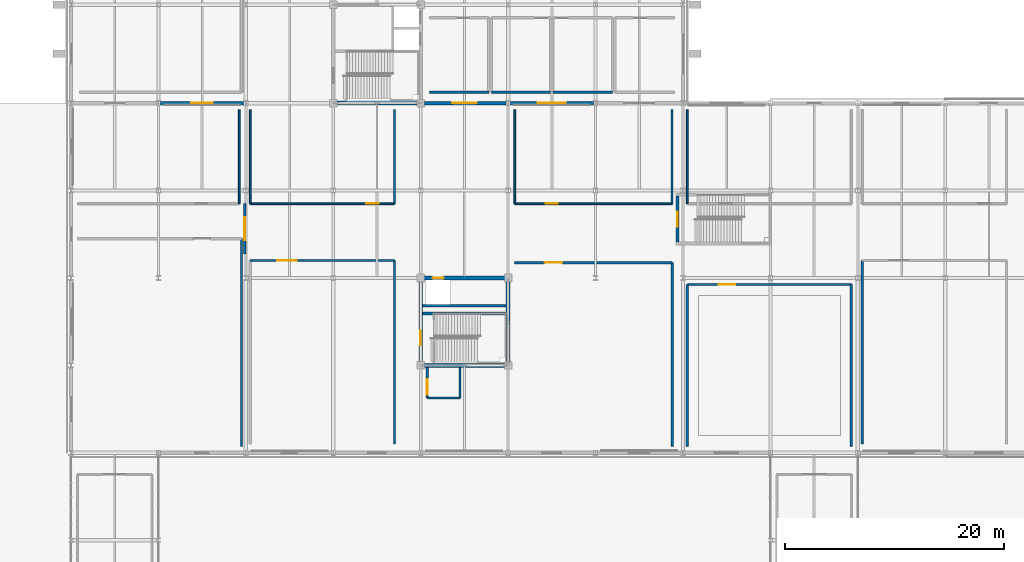
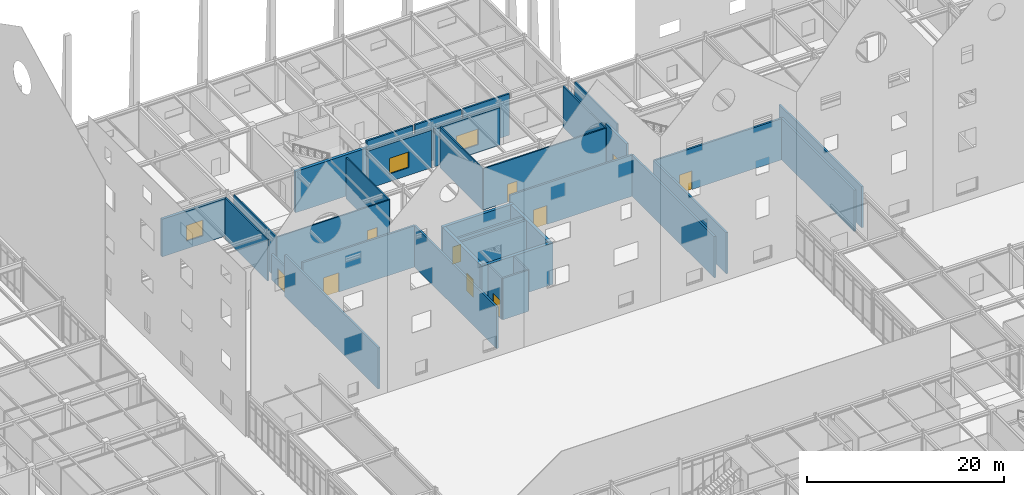
# One storey, part 93 of 119: 35 walls, 10 doors, 3 windows, 13 openings.
"""IFC4 building model written with IfcOpenShell, lengths in metres."""

import ifcopenshell
import ifcopenshell.guid

model = None  # the IFC model being written
_history = None  # IfcOwnerHistory: only IFC2X3 demands one
_inside = {}  # id of a spatial element -> (the spatial element, [elements in it])
_under = {}  # id of a project, library or spatial element -> (it, [spatial elements below it])
_declared = {}  # id of a project -> (the project, [libraries it declares])
_typed = {}  # id of a type object -> (the type object, [elements of that type])
_made_of = {}  # id of a material, layer set ... -> (it, [elements and type objects made of it])


def new_model(schema):
    """Start an empty IFC model of exactly this schema.

    Asked for "IFC4X3", IfcOpenShell would pick the latest addendum, in which some entities
    have other attributes; the version numbers below select the first issue.
    IFC2X3 requires an IfcOwnerHistory on every rooted entity: one is made here for all.
    """
    global model, _history
    if schema == "IFC4X3":
        model = ifcopenshell.file(schema_version=(4, 3, 0, 0))
    else:
        model = ifcopenshell.file(schema=schema)
    _inside.clear()
    _under.clear()
    _declared.clear()
    _typed.clear()
    _made_of.clear()
    _history = None
    if model.schema == "IFC2X3":
        org = make("IfcOrganization", Name="unknown")
        user = make(
            "IfcPersonAndOrganization",
            ThePerson=make("IfcPerson", FamilyName="unknown"),
            TheOrganization=org,
        )
        app = make(
            "IfcApplication",
            ApplicationDeveloper=org,
            Version="unknown",
            ApplicationFullName="unknown",
            ApplicationIdentifier="unknown",
        )
        _history = make(
            "IfcOwnerHistory",
            OwningUser=user,
            OwningApplication=app,
            ChangeAction="ADDED",
            CreationDate=0,
        )
    return model


def make(cls, **values):
    """One entity of the class cls with the attributes given. An attribute that is None is left unset."""
    return model.create_entity(
        cls, **{name: value for name, value in values.items() if value is not None}
    )


def rooted(cls, **values):
    """An entity with a GlobalId (a new one), such as an element, a storey or a relation."""
    return make(cls, GlobalId=ifcopenshell.guid.new(), OwnerHistory=_history, **values)


def si_unit(unit_type, name, prefix=None):
    """IfcSIUnit, for example si_unit("LENGTHUNIT", "METRE", prefix="MILLI")."""
    return make("IfcSIUnit", UnitType=unit_type, Prefix=prefix, Name=name)


def assignment(units):
    """IfcUnitAssignment: the units of a project."""
    return None if units is None else make("IfcUnitAssignment", Units=units)


def point(xyz):
    """IfcCartesianPoint."""
    return None if xyz is None else make("IfcCartesianPoint", Coordinates=xyz)


def direction(xyz):
    """IfcDirection."""
    return None if xyz is None else make("IfcDirection", DirectionRatios=xyz)


def frame(location, z_axis=None, x_axis=None):
    """IfcAxis2Placement3D, a coordinate frame: its origin and axes. An axis left out is left unset."""
    return make(
        "IfcAxis2Placement3D",
        Location=point(location),
        Axis=direction(z_axis),
        RefDirection=direction(x_axis),
    )


def frame_2d(location, x_axis=None):
    """IfcAxis2Placement2D, a coordinate frame in the plane: its origin and x axis."""
    return make(
        "IfcAxis2Placement2D", Location=point(location), RefDirection=direction(x_axis)
    )


def origin():
    """The frame at (0, 0, 0) with its axes left unset."""
    return frame((0.0, 0.0, 0.0))


def place(relative_to, where):
    """IfcLocalPlacement: puts the frame where relative to a parent placement (None: the world)."""
    return make(
        "IfcLocalPlacement", PlacementRelTo=relative_to, RelativePlacement=where
    )


def context(
    kind, dimensions, precision=None, world=None, true_north=None, identifier=None
):
    """IfcGeometricRepresentationContext, for example the 3D "Model" context."""
    return make(
        "IfcGeometricRepresentationContext",
        ContextIdentifier=identifier,
        ContextType=kind,
        CoordinateSpaceDimension=dimensions,
        Precision=precision,
        WorldCoordinateSystem=world,
        TrueNorth=true_north,
    )


def subcontext(parent, identifier, kind, view, scale=None):
    """IfcGeometricRepresentationSubContext, for example "Body" below "Model"."""
    return make(
        "IfcGeometricRepresentationSubContext",
        ContextIdentifier=identifier,
        ContextType=kind,
        ParentContext=parent,
        TargetScale=scale,
        TargetView=view,
    )


def project(units=None, contexts=None):
    """IfcProject with its units and contexts."""
    return rooted(
        "IfcProject",
        Name="project",
        RepresentationContexts=contexts,
        UnitsInContext=assignment(units),
    )


def spatial(cls, under=None, at=None, **own):
    """A site, building, storey or space (cls), placed at a placement, below another one or the project."""
    s = rooted(cls, ObjectPlacement=at, **own)
    if under is not None:
        _under.setdefault(under.id(), (under, []))[1].append(s)
    return s


def profile(cls, at=None, kind="AREA", **sizes):
    """A parametric profile (cls). Its sizes go by their IFC names, for example OverallWidth=200.0."""
    return make(cls, ProfileType=kind, Position=at, **sizes)


def rectangle(**sizes):
    """IfcRectangleProfileDef."""
    return profile("IfcRectangleProfileDef", **sizes)


def extrude(swept, where, along, depth):
    """IfcExtrudedAreaSolid: the profile swept, set in the frame where, extruded along a direction by depth."""
    return make(
        "IfcExtrudedAreaSolid",
        SweptArea=swept,
        Position=where,
        ExtrudedDirection=direction(along),
        Depth=depth,
    )


def shape(context_of_items, identifier, shape_type, items):
    """IfcShapeRepresentation: the items that make up one representation, for example the "Body"."""
    return make(
        "IfcShapeRepresentation",
        ContextOfItems=context_of_items,
        RepresentationIdentifier=identifier,
        RepresentationType=shape_type,
        Items=items,
    )


def material(Name=None, Category=None):
    """IfcMaterial."""
    return make("IfcMaterial", Name=Name, Category=Category)


def layer(
    of_material, thickness, ventilated=None, Name=None, Category=None, Priority=None
):
    """IfcMaterialLayer: one layer of a wall or slab, of a material (None: an air gap)."""
    return make(
        "IfcMaterialLayer",
        Material=of_material,
        LayerThickness=thickness,
        IsVentilated=ventilated,
        Name=Name,
        Category=Category,
        Priority=Priority,
    )


def layer_set(layers, Name=None):
    """IfcMaterialLayerSet."""
    return make("IfcMaterialLayerSet", MaterialLayers=layers, LayerSetName=Name)


def made_of(thing, what):
    """Note that an element or type object is made of a material, layer set ...; save() writes the relation."""
    if what is not None:
        _made_of.setdefault(what.id(), (what, []))[1].append(thing)
    return thing


def type_object(cls, material=None, **own):
    """A type object (cls), such as IfcWallType, which elements share."""
    return made_of(rooted(cls, **own), material)


def element(
    cls,
    number,
    at=None,
    inside=None,
    cuts=None,
    type_object=None,
    material=None,
    context=None,
    identifier="Body",
    shape_type=None,
    held_by="IfcProductDefinitionShape",
    body=None,
    shapes=None,
    **own,
):
    """One element of the class cls, such as IfcWall. Its Tag is "e" and its number.

    at: its placement. inside: the storey or other place that contains it. cuts: it is an
    opening in that element (IfcRelVoidsElement). A single representation is given by context,
    identifier, shape_type and body (its items); several are given by shapes. held_by: the class
    of the entity that holds the representations. save() writes the other relations.
    """
    e = rooted(cls, Tag="e%d" % number, ObjectPlacement=at, **own)
    if body is not None:
        shapes = [shape(context, identifier, shape_type, body)]
    if shapes is not None:
        e.Representation = make(held_by, Representations=shapes)
    if inside is not None:
        _inside.setdefault(inside.id(), (inside, []))[1].append(e)
    if cuts is not None:
        rooted(
            "IfcRelVoidsElement", RelatingBuildingElement=cuts, RelatedOpeningElement=e
        )
    if type_object is not None:
        _typed.setdefault(type_object.id(), (type_object, []))[1].append(e)
    return made_of(e, material)


def fill(opening, filler):
    """IfcRelFillsElement: the door or window that sits in an opening."""
    return rooted(
        "IfcRelFillsElement",
        RelatingOpeningElement=opening,
        RelatedBuildingElement=filler,
    )


def aggregate(whole, parts):
    """IfcRelAggregates: a whole, such as a stair, and the parts it consists of."""
    return rooted("IfcRelAggregates", RelatingObject=whole, RelatedObjects=parts)


def save(model, path):
    """Write the relations noted so far, then the file.

    IfcRelAggregates (storeys below a building ...), IfcRelContainedInSpatialStructure (elements
    in a storey), IfcRelDefinesByType, IfcRelAssociatesMaterial and IfcRelDeclares: one each for
    every whole, place, type object, material and project.
    """
    for whole, parts in _under.values():
        aggregate(whole, parts)
    for where, things in _inside.values():
        rooted(
            "IfcRelContainedInSpatialStructure",
            RelatedElements=things,
            RelatingStructure=where,
        )
    for kind, things in _typed.values():
        rooted("IfcRelDefinesByType", RelatedObjects=things, RelatingType=kind)
    for what, things in _made_of.values():
        rooted("IfcRelAssociatesMaterial", RelatedObjects=things, RelatingMaterial=what)
    for by, libraries in _declared.values():
        rooted("IfcRelDeclares", RelatingContext=by, RelatedDefinitions=libraries)
    model.write(path)


model = new_model("IFC4")

# Units and contexts
model_context = context("Model", 3, precision=1e-05, world=origin(), true_north=direction((0.0, 1.0)))
body_context = subcontext(model_context, "Body", "Model", "MODEL_VIEW")
ifc_project = project(units=[si_unit("LENGTHUNIT", "METRE"), si_unit("AREAUNIT", "SQUARE_METRE"), si_unit("VOLUMEUNIT", "CUBIC_METRE"), si_unit("PLANEANGLEUNIT", "RADIAN"), si_unit("MASSUNIT", "GRAM", prefix="KILO")], contexts=[model_context])

# Site, building, storey
site_placement = place(None, origin())
site = spatial("IfcSite", under=ifc_project, at=site_placement, CompositionType="ELEMENT")
building_placement = place(site_placement, origin())
building = spatial("IfcBuilding", under=site, at=building_placement, Name="Zhaolan Boulevard Law Courts", CompositionType="ELEMENT")
storey_placement = place(building_placement, origin())
storey = spatial("IfcBuildingStorey", under=building, at=storey_placement, Name="L00", CompositionType="ELEMENT", Elevation=0.0)

# Wall
ifc_material_1 = material(Name="Concrete C50", Category="concrete")
ifc_layer_1 = layer(ifc_material_1, 0.35009765625)
ifc_layer_set_1 = layer_set([ifc_layer_1])
wall_type_1 = type_object("IfcWallType", Name="CORE SHEAR WALL 350", PredefinedType="SHEAR", material=ifc_layer_set_1)
wall_1_placement = place(storey_placement, frame((83.824951171875, 70.0, 0.0), z_axis=(0.0, 0.0, 1.0), x_axis=(1.0, 0.0, 0.0)))
element("IfcWall", 1, at=wall_1_placement, inside=storey, type_object=wall_type_1, Name="Core Shear Wall CW-T1-L00S", PredefinedType="SHEAR", context=body_context, shape_type="SweptSolid", body=[
    extrude(rectangle(XDim=8.35009765625, YDim=0.35009765625, at=frame_2d((4.175048828125, 0.0))), origin(), (0.0, 0.0, 1.0), 5.1201171875),
])

# Wall, opening, door
wall_2_placement = place(storey_placement, frame((92.175048828125, 78.0, 0.0), z_axis=(0.0, 0.0, 1.0), x_axis=(-1.0, 0.0, 0.0)))
wall_2 = element("IfcWall", 2, at=wall_2_placement, inside=storey, type_object=wall_type_1, Name="Core Shear Wall CW-T1-L00N", PredefinedType="SHEAR", context=body_context, shape_type="SweptSolid", body=[
    extrude(rectangle(XDim=8.35009765625, YDim=0.35009765625, at=frame_2d((4.175048828125, 0.0))), origin(), (0.0, 0.0, 1.0), 5.1201171875),
])
opening_1_placement = place(wall_2_placement, frame((6.074951171875, 0.0, 0.0)))
opening_1 = element("IfcOpeningElement", 3, at=opening_1_placement, cuts=wall_2, Name="Opening LD-PL-03-L00", PredefinedType="OPENING", context=body_context, shape_type="SweptSolid", body=[
    extrude(rectangle(XDim=1.0, YDim=2.14990234375, at=frame_2d((0.5, 1.074951171875))), frame((0.0, 0.18505859375, 0.0), z_axis=(0.0, -1.0, 0.0), x_axis=(1.0, 0.0, 0.0)), (0.0, 0.0, 1.0), 0.3701171875),
])
ifc_material_2 = material(Name="Stainless steel sliding landing door", Category="steel")
door_type_1 = type_object("IfcDoorType", Name="LIFT LANDING 1000X2150", OperationType="DOUBLE_DOOR_SLIDING", PredefinedType="DOOR", material=ifc_material_2)
door_1_placement = place(opening_1_placement, origin())
door_1 = element("IfcDoor", 4, at=door_1_placement, inside=storey, type_object=door_type_1, Name="Lift Landing Sliding Door LD-PL-03-L00", OperationType="DOUBLE_DOOR_SLIDING", OverallHeight=2.14990234375, OverallWidth=1.0, PredefinedType="DOOR", context=body_context, shape_type="SweptSolid", body=[
    extrude(rectangle(XDim=1.0, YDim=2.14990234375, at=frame_2d((0.5, 1.074951171875))), frame((0.0, 0.02490234375, 0.0), z_axis=(0.0, -1.0, 0.0), x_axis=(1.0, 0.0, 0.0)), (0.0, 0.0, 1.0), 0.050048828125),
])
fill(opening_1, door_1)

wall_3_placement = place(storey_placement, frame((84.0, 70.175048828125, 0.0), z_axis=(0.0, 0.0, 1.0), x_axis=(0.0, 1.0, 0.0)))
wall_3 = element("IfcWall", 5, at=wall_3_placement, inside=storey, type_object=wall_type_1, Name="Core Shear Wall CW-T1-L00W", PredefinedType="SHEAR", context=body_context, shape_type="SweptSolid", body=[
    extrude(rectangle(XDim=7.64990234375, YDim=0.35009765625, at=frame_2d((3.824951171875, 0.0))), origin(), (0.0, 0.0, 1.0), 5.1201171875),
])
opening_2_placement = place(wall_3_placement, frame((1.64990234375, 0.0, 0.0)))
opening_2 = element("IfcOpeningElement", 6, at=opening_2_placement, cuts=wall_3, Name="Opening SD-L00-30", PredefinedType="OPENING", context=body_context, shape_type="SweptSolid", body=[
    extrude(rectangle(XDim=1.35009765625, YDim=2.199951171875, at=frame_2d((0.675048828125, 1.10009765625))), frame((0.0, 0.18505859375, 0.0), z_axis=(0.0, -1.0, 0.0), x_axis=(1.0, 0.0, 0.0)), (0.0, 0.0, 1.0), 0.3701171875),
])
ifc_material_3 = material(Name="Fire-rated steel acoustic door", Category="steel")
door_type_2 = type_object("IfcDoorType", Name="STAIR FIRE 1350X2200 R", OperationType="SINGLE_SWING_RIGHT", PredefinedType="DOOR", material=ifc_material_3)
door_2_placement = place(opening_2_placement, origin())
door_2 = element("IfcDoor", 7, at=door_2_placement, inside=storey, type_object=door_type_2, Name="Smoke-Proof Stairwell Fire Door SD-L00-30", OperationType="SINGLE_SWING_RIGHT", OverallHeight=2.199951171875, OverallWidth=1.35009765625, PredefinedType="DOOR", context=body_context, shape_type="SweptSolid", body=[
    extrude(rectangle(XDim=1.35009765625, YDim=2.199951171875, at=frame_2d((0.675048828125, 1.10009765625))), frame((0.0, 0.02490234375, 0.0), z_axis=(0.0, -1.0, 0.0), x_axis=(1.0, 0.0, 0.0)), (0.0, 0.0, 1.0), 0.050048828125),
])
fill(opening_2, door_2)

# Walls
wall_4_placement = place(storey_placement, frame((92.0, 70.175048828125, 0.0), z_axis=(0.0, 0.0, 1.0), x_axis=(0.0, 1.0, 0.0)))
element("IfcWall", 8, at=wall_4_placement, inside=storey, type_object=wall_type_1, Name="Core Shear Wall CW-T1-L00E", PredefinedType="SHEAR", context=body_context, shape_type="SweptSolid", body=[
    extrude(rectangle(XDim=7.64990234375, YDim=0.35009765625, at=frame_2d((3.824951171875, 0.0))), origin(), (0.0, 0.0, 1.0), 5.1201171875),
])
wall_5_placement = place(storey_placement, frame((75.824951171875, 94.0, 0.0), z_axis=(0.0, 0.0, 1.0), x_axis=(1.0, 0.0, 0.0)))
element("IfcWall", 9, at=wall_5_placement, inside=storey, type_object=wall_type_1, Name="Core Shear Wall CW-C1-L00S", PredefinedType="SHEAR", context=body_context, shape_type="SweptSolid", body=[
    extrude(rectangle(XDim=8.35009765625, YDim=0.35009765625, at=frame_2d((4.175048828125, 0.0))), origin(), (0.0, 0.0, 1.0), 5.1201171875),
])

# Wall, opening, window
ifc_material_4 = material(Name="Concrete C40", Category="concrete")
ifc_layer_2 = layer(ifc_material_4, 0.320068359375)
ifc_layer_set_2 = layer_set([ifc_layer_2])
wall_type_2 = type_object("IfcWallType", Name="EXT WALL CONCRETE320", PredefinedType="SOLIDWALL", material=ifc_layer_set_2)
wall_6_placement = place(storey_placement, frame((67.803955078125, 94.0, 0.0), z_axis=(0.0, 0.0, 1.0), x_axis=(-1.0, 0.0, 0.0)))
wall_6 = element("IfcWall", 10, at=wall_6_placement, inside=storey, type_object=wall_type_2, Name="Exterior Wall EW-L00-186", PredefinedType="SOLIDWALL", context=body_context, shape_type="SweptSolid", body=[
    extrude(rectangle(XDim=7.60791015625, YDim=0.320068359375, at=frame_2d((3.803955078125, 0.0))), origin(), (0.0, 0.0, 1.0), 4.6630859375),
])
opening_3_placement = place(wall_6_placement, frame((2.8291015625, 0.0, 0.949951171875)))
opening_3 = element("IfcOpeningElement", 11, at=opening_3_placement, cuts=wall_6, Name="Opening WIN-L00-044", PredefinedType="OPENING", context=body_context, shape_type="SweptSolid", body=[
    extrude(rectangle(XDim=1.949951171875, YDim=1.949951171875, at=frame_2d((0.97509765625, 0.97509765625))), frame((0.0, 0.169921875, 0.0), z_axis=(0.0, -1.0, 0.0), x_axis=(1.0, 0.0, 0.0)), (0.0, 0.0, 1.0), 0.340087890625),
])
ifc_material_5 = material(Name="Thermally broken aluminium and low-E glazing", Category="aluminium")
window_type_1 = type_object("IfcWindowType", Name="WINDOW 1950X1950", PartitioningType="DOUBLE_PANEL_VERTICAL", PredefinedType="WINDOW", material=ifc_material_5)
window_1_placement = place(opening_3_placement, origin())
window_1 = element("IfcWindow", 12, at=window_1_placement, inside=storey, type_object=window_type_1, Name="Exterior Window WIN-L00-044", OverallHeight=1.949951171875, OverallWidth=1.949951171875, PartitioningType="SINGLE_PANEL", PredefinedType="WINDOW", context=body_context, shape_type="SweptSolid", body=[
    extrude(rectangle(XDim=1.949951171875, YDim=1.949951171875, at=frame_2d((0.97509765625, 0.97509765625))), frame((0.0, 0.030029296875, 0.0), z_axis=(0.0, -1.0, 0.0), x_axis=(1.0, 0.0, 0.0)), (0.0, 0.0, 1.0), 0.06005859375),
])
fill(opening_3, window_1)

wall_7_placement = place(storey_placement, frame((91.803955078125, 94.0, 0.0), z_axis=(0.0, 0.0, 1.0), x_axis=(-1.0, 0.0, 0.0)))
wall_7 = element("IfcWall", 13, at=wall_7_placement, inside=storey, type_object=wall_type_2, Name="Exterior Wall EW-L00-187", PredefinedType="SOLIDWALL", context=body_context, shape_type="SweptSolid", body=[
    extrude(rectangle(XDim=7.4580078125, YDim=0.320068359375, at=frame_2d((3.72900390625, 0.0))), origin(), (0.0, 0.0, 1.0), 4.6630859375),
])
opening_4_placement = place(wall_7_placement, frame((2.678955078125, 0.0, 0.949951171875)))
opening_4 = element("IfcOpeningElement", 14, at=opening_4_placement, cuts=wall_7, Name="Opening WIN-L00-045", PredefinedType="OPENING", context=body_context, shape_type="SweptSolid", body=[
    extrude(rectangle(XDim=2.25, YDim=1.949951171875, at=frame_2d((1.125, 0.97509765625))), frame((0.0, 0.169921875, 0.0), z_axis=(0.0, -1.0, 0.0), x_axis=(1.0, 0.0, 0.0)), (0.0, 0.0, 1.0), 0.340087890625),
])
ifc_material_6 = material(Name="Thermally broken aluminium and low-E glazing", Category="aluminium")
window_type_2 = type_object("IfcWindowType", Name="WINDOW 2250X1950", PartitioningType="DOUBLE_PANEL_VERTICAL", PredefinedType="WINDOW", material=ifc_material_6)
window_2_placement = place(opening_4_placement, origin())
window_2 = element("IfcWindow", 15, at=window_2_placement, inside=storey, type_object=window_type_2, Name="Exterior Window WIN-L00-045", OverallHeight=1.949951171875, OverallWidth=2.25, PartitioningType="SINGLE_PANEL", PredefinedType="WINDOW", context=body_context, shape_type="SweptSolid", body=[
    extrude(rectangle(XDim=2.25, YDim=1.949951171875, at=frame_2d((1.125, 0.97509765625))), frame((0.0, 0.030029296875, 0.0), z_axis=(0.0, -1.0, 0.0), x_axis=(1.0, 0.0, 0.0)), (0.0, 0.0, 1.0), 0.06005859375),
])
fill(opening_4, window_2)

wall_8_placement = place(storey_placement, frame((99.803955078125, 94.0, 0.0), z_axis=(0.0, 0.0, 1.0), x_axis=(-1.0, 0.0, 0.0)))
wall_8 = element("IfcWall", 16, at=wall_8_placement, inside=storey, type_object=wall_type_2, Name="Exterior Wall EW-L00-188", PredefinedType="SOLIDWALL", context=body_context, shape_type="SweptSolid", body=[
    extrude(rectangle(XDim=7.60791015625, YDim=0.320068359375, at=frame_2d((3.803955078125, 0.0))), origin(), (0.0, 0.0, 1.0), 4.6630859375),
])
opening_5_placement = place(wall_8_placement, frame((2.529052734375, 0.0, 0.949951171875)))
opening_5 = element("IfcOpeningElement", 17, at=opening_5_placement, cuts=wall_8, Name="Opening WIN-L00-046", PredefinedType="OPENING", context=body_context, shape_type="SweptSolid", body=[
    extrude(rectangle(XDim=2.550048828125, YDim=1.949951171875, at=frame_2d((1.27490234375, 0.97509765625))), frame((0.0, 0.169921875, 0.0), z_axis=(0.0, -1.0, 0.0), x_axis=(1.0, 0.0, 0.0)), (0.0, 0.0, 1.0), 0.340087890625),
])
ifc_material_7 = material(Name="Thermally broken aluminium and low-E glazing", Category="aluminium")
window_type_3 = type_object("IfcWindowType", Name="WINDOW 2550X1950", PartitioningType="DOUBLE_PANEL_VERTICAL", PredefinedType="WINDOW", material=ifc_material_7)
window_3_placement = place(opening_5_placement, origin())
window_3 = element("IfcWindow", 18, at=window_3_placement, inside=storey, type_object=window_type_3, Name="Exterior Window WIN-L00-046", OverallHeight=1.949951171875, OverallWidth=2.550048828125, PartitioningType="SINGLE_PANEL", PredefinedType="WINDOW", context=body_context, shape_type="SweptSolid", body=[
    extrude(rectangle(XDim=2.550048828125, YDim=1.949951171875, at=frame_2d((1.27490234375, 0.97509765625))), frame((0.0, 0.030029296875, 0.0), z_axis=(0.0, -1.0, 0.0), x_axis=(1.0, 0.0, 0.0)), (0.0, 0.0, 1.0), 0.06005859375),
])
fill(opening_5, window_3)

# Walls
ifc_material_8 = material(Name="Concrete C50", Category="concrete")
ifc_layer_3 = layer(ifc_material_8, 0.239990234375)
ifc_layer_set_3 = layer_set([ifc_layer_3])
wall_type_3 = type_object("IfcWallType", Name="LIFT SHAFT WALL 240", PredefinedType="SHEAR", material=ifc_layer_set_3)
wall_9_placement = place(storey_placement, frame((84.175048828125, 75.455078125, 0.0), z_axis=(0.0, 0.0, 1.0), x_axis=(1.0, 0.0, 0.0)))
element("IfcWall", 19, at=wall_9_placement, inside=storey, type_object=wall_type_3, Name="Lift Shaft Enclosure Wall T1 (L00)", PredefinedType="SHEAR", context=body_context, shape_type="SweptSolid", body=[
    extrude(rectangle(XDim=7.64990234375, YDim=0.239990234375, at=frame_2d((3.824951171875, 0.0))), origin(), (0.0, 0.0, 1.0), 5.1201171875),
])
ifc_material_9 = material(Name="Acoustic gypsum and mineral-wool stud")
ifc_layer_4 = layer(ifc_material_9, 0.18994140625)
ifc_layer_set_4 = layer_set([ifc_layer_4])
wall_type_4 = type_object("IfcWallType", Name="PART WALL ACOUST190", PredefinedType="PARTITIONING", material=ifc_layer_set_4)
wall_10_placement = place(storey_placement, frame((84.60009765625, 67.0, 0.0), z_axis=(0.0, 0.0, 1.0), x_axis=(1.0, 0.0, 0.0)))
element("IfcWall", 20, at=wall_10_placement, inside=storey, type_object=wall_type_4, Name="Interior Partition PW-L00-079", PredefinedType="PARTITIONING", context=body_context, shape_type="SweptSolid", body=[
    extrude(rectangle(XDim=3.0, YDim=0.18994140625, at=frame_2d((1.5, 0.0))), origin(), (0.0, 0.0, 1.0), 5.1201171875),
])

# Wall, opening, door
wall_11_placement = place(storey_placement, frame((84.60009765625, 69.800048828125, 0.0), z_axis=(0.0, 0.0, 1.0), x_axis=(0.0, -1.0, 0.0)))
wall_11 = element("IfcWall", 21, at=wall_11_placement, inside=storey, type_object=wall_type_4, Name="Interior Partition PW-L00-080", PredefinedType="PARTITIONING", context=body_context, shape_type="SweptSolid", body=[
    extrude(rectangle(XDim=2.800048828125, YDim=0.18994140625, at=frame_2d((1.39990234375, 0.0))), origin(), (0.0, 0.0, 1.0), 5.1201171875),
])
opening_6_placement = place(wall_11_placement, frame((1.050048828125, 0.0, 0.0)))
opening_6 = element("IfcOpeningElement", 22, at=opening_6_placement, cuts=wall_11, Name="Opening FD-L00-027", PredefinedType="OPENING", context=body_context, shape_type="SweptSolid", body=[
    extrude(rectangle(XDim=1.449951171875, YDim=2.199951171875, at=frame_2d((0.72509765625, 1.10009765625))), frame((0.0, 0.10498046875, 0.0), z_axis=(0.0, -1.0, 0.0), x_axis=(1.0, 0.0, 0.0)), (0.0, 0.0, 1.0), 0.2099609375),
])
ifc_material_10 = material(Name="Fire-rated steel acoustic door", Category="steel")
door_type_3 = type_object("IfcDoorType", Name="LOBBY FIRE 1450X2200 L", OperationType="SINGLE_SWING_LEFT", PredefinedType="DOOR", material=ifc_material_10)
door_3_placement = place(opening_6_placement, origin())
door_3 = element("IfcDoor", 23, at=door_3_placement, inside=storey, type_object=door_type_3, Name="Door FD-L00-027 (Lobby Firefighting Lift L00-T1)", OperationType="SINGLE_SWING_LEFT", OverallHeight=2.199951171875, OverallWidth=1.449951171875, PredefinedType="DOOR", context=body_context, shape_type="SweptSolid", body=[
    extrude(rectangle(XDim=1.449951171875, YDim=2.199951171875, at=frame_2d((0.72509765625, 1.10009765625))), frame((0.0, 0.02490234375, 0.0), z_axis=(0.0, -1.0, 0.0), x_axis=(1.0, 0.0, 0.0)), (0.0, 0.0, 1.0), 0.050048828125),
])
fill(opening_6, door_3)

# Walls
wall_12_placement = place(storey_placement, frame((87.60009765625, 67.0, 0.0), z_axis=(0.0, 0.0, 1.0), x_axis=(0.0, 1.0, 0.0)))
element("IfcWall", 24, at=wall_12_placement, inside=storey, type_object=wall_type_4, Name="Interior Partition PW-L00-081", PredefinedType="PARTITIONING", context=body_context, shape_type="SweptSolid", body=[
    extrude(rectangle(XDim=2.800048828125, YDim=0.18994140625, at=frame_2d((1.39990234375, 0.0))), origin(), (0.0, 0.0, 1.0), 5.1201171875),
])
ifc_material_11 = material(Name="Fire-rated gypsum stud partition")
ifc_layer_5 = layer(ifc_material_11, 0.159912109375)
ifc_layer_set_5 = layer_set([ifc_layer_5])
wall_type_5 = type_object("IfcWallType", Name="PART WALL CHAMB160", PredefinedType="PARTITIONING", material=ifc_layer_set_5)
wall_13_placement = place(storey_placement, frame((67.39990234375, 84.800048828125, 0.0), z_axis=(0.0, 0.0, 1.0), x_axis=(0.0, 1.0, 0.0)))
element("IfcWall", 25, at=wall_13_placement, inside=storey, type_object=wall_type_5, Name="Interior Partition PW-L00-283", PredefinedType="PARTITIONING", context=body_context, shape_type="SweptSolid", body=[
    extrude(rectangle(XDim=8.599853515625, YDim=0.159912109375, at=frame_2d((4.2998046875, 0.0))), origin(), (0.0, 0.0, 1.0), 5.1201171875),
])

# Wall, opening, door
wall_14_placement = place(storey_placement, frame((68.39990234375, 84.800048828125, 0.0), z_axis=(0.0, 0.0, 1.0), x_axis=(1.0, 0.0, 0.0)))
wall_14 = element("IfcWall", 26, at=wall_14_placement, inside=storey, type_object=wall_type_5, Name="Interior Partition PW-L00-284", PredefinedType="PARTITIONING", context=body_context, shape_type="SweptSolid", body=[
    extrude(rectangle(XDim=13.2001953125, YDim=0.159912109375, at=frame_2d((6.60009765625, 0.0))), origin(), (0.0, 0.0, 1.0), 5.1201171875),
])
opening_7_placement = place(wall_14_placement, frame((10.60498046875, 0.0, 0.0)))
opening_7 = element("IfcOpeningElement", 27, at=opening_7_placement, cuts=wall_14, Name="Opening JR-L00-087", PredefinedType="OPENING", context=body_context, shape_type="SweptSolid", body=[
    extrude(rectangle(XDim=1.14990234375, YDim=2.199951171875, at=frame_2d((0.574951171875, 1.10009765625))), frame((0.0, 0.08984375, 0.0), z_axis=(0.0, -1.0, 0.0), x_axis=(1.0, 0.0, 0.0)), (0.0, 0.0, 1.0), 0.179931640625),
])
ifc_material_12 = material(Name="Solid-core acoustic oak veneer door")
door_type_4 = type_object("IfcDoorType", Name="JURY DOOR 1150X2200 L", OperationType="SINGLE_SWING_LEFT", PredefinedType="DOOR", material=ifc_material_12)
door_4_placement = place(opening_7_placement, origin())
door_4 = element("IfcDoor", 28, at=door_4_placement, inside=storey, type_object=door_type_4, Name="Door JR-L00-087 (Jury Room L00-02)", OperationType="SINGLE_SWING_LEFT", OverallHeight=2.199951171875, OverallWidth=1.14990234375, PredefinedType="DOOR", context=body_context, shape_type="SweptSolid", body=[
    extrude(rectangle(XDim=1.14990234375, YDim=2.199951171875, at=frame_2d((0.574951171875, 1.10009765625))), frame((0.0, 0.02490234375, 0.0), z_axis=(0.0, -1.0, 0.0), x_axis=(1.0, 0.0, 0.0)), (0.0, 0.0, 1.0), 0.050048828125),
])
fill(opening_7, door_4)

# Walls
for number, where, z_axis, x_axis, name in (
    (29, (68.39990234375, 93.39990234375, 0.0), (0.0, 0.0, 1.0), (0.0, -1.0, 0.0), "Interior Partition PW-L00-285"),
    (30, (81.60009765625, 84.800048828125, 0.0), (0.0, 0.0, 1.0), (0.0, 1.0, 0.0), "Interior Partition PW-L00-286"),
):
    element("IfcWall", number, at=place(storey_placement, frame(where, z_axis=z_axis, x_axis=x_axis)), inside=storey, type_object=wall_type_5, Name=name, PredefinedType="PARTITIONING", context=body_context, shape_type="SweptSolid", body=[
        extrude(rectangle(XDim=8.599853515625, YDim=0.159912109375, at=frame_2d((4.2998046875, 0.0))), origin(), (0.0, 0.0, 1.0), 5.1201171875),
    ])

# Wall, opening, door
wall_15_placement = place(storey_placement, frame((92.60009765625, 84.800048828125, 0.0), z_axis=(0.0, 0.0, 1.0), x_axis=(1.0, 0.0, 0.0)))
wall_15 = element("IfcWall", 31, at=wall_15_placement, inside=storey, type_object=wall_type_5, Name="Interior Partition PW-L00-287", PredefinedType="PARTITIONING", context=body_context, shape_type="SweptSolid", body=[
    extrude(rectangle(XDim=14.39990234375, YDim=0.159912109375, at=frame_2d((7.199951171875, 0.0))), origin(), (0.0, 0.0, 1.0), 5.1201171875),
])
opening_8_placement = place(wall_15_placement, frame((2.8359375, 0.0, 0.0)))
opening_8 = element("IfcOpeningElement", 32, at=opening_8_placement, cuts=wall_15, Name="Opening JR-L00-088", PredefinedType="OPENING", context=body_context, shape_type="SweptSolid", body=[
    extrude(rectangle(XDim=1.1201171875, YDim=2.199951171875, at=frame_2d((0.56005859375, 1.10009765625))), frame((0.0, 0.08984375, 0.0), z_axis=(0.0, -1.0, 0.0), x_axis=(1.0, 0.0, 0.0)), (0.0, 0.0, 1.0), 0.179931640625),
])
ifc_material_13 = material(Name="Solid-core acoustic oak veneer door")
door_type_5 = type_object("IfcDoorType", Name="JURY DOOR 1120X2200 R", OperationType="SINGLE_SWING_RIGHT", PredefinedType="DOOR", material=ifc_material_13)
door_5_placement = place(opening_8_placement, origin())
door_5 = element("IfcDoor", 33, at=door_5_placement, inside=storey, type_object=door_type_5, Name="Door JR-L00-088 (Jury Room L00-03)", OperationType="SINGLE_SWING_RIGHT", OverallHeight=2.199951171875, OverallWidth=1.1201171875, PredefinedType="DOOR", context=body_context, shape_type="SweptSolid", body=[
    extrude(rectangle(XDim=1.1201171875, YDim=2.199951171875, at=frame_2d((0.56005859375, 1.10009765625))), frame((0.0, 0.02490234375, 0.0), z_axis=(0.0, -1.0, 0.0), x_axis=(1.0, 0.0, 0.0)), (0.0, 0.0, 1.0), 0.050048828125),
])
fill(opening_8, door_5)

# Walls
for number, where, z_axis, x_axis, name in (
    (34, (92.60009765625, 93.39990234375, 0.0), (0.0, 0.0, 1.0), (0.0, -1.0, 0.0), "Interior Partition PW-L00-288"),
    (35, (107.0, 84.800048828125, 0.0), (0.0, 0.0, 1.0), (0.0, 1.0, 0.0), "Interior Partition PW-L00-289"),
    (36, (108.39990234375, 93.39990234375, 0.0), (0.0, 0.0, 1.0), (0.0, -1.0, 0.0), "Interior Partition PW-L00-291"),
):
    element("IfcWall", number, at=place(storey_placement, frame(where, z_axis=z_axis, x_axis=x_axis)), inside=storey, type_object=wall_type_5, Name=name, PredefinedType="PARTITIONING", context=body_context, shape_type="SweptSolid", body=[
        extrude(rectangle(XDim=8.599853515625, YDim=0.159912109375, at=frame_2d((4.2998046875, 0.0))), origin(), (0.0, 0.0, 1.0), 5.1201171875),
    ])
ifc_material_14 = material(Name="Concrete C40", Category="concrete")
ifc_layer_6 = layer(ifc_material_14, 0.219970703125)
ifc_layer_set_6 = layer_set([ifc_layer_6])
wall_type_6 = type_object("IfcWallType", Name="PART WALL COURT220", PredefinedType="PARTITIONING", material=ifc_layer_set_6)
wall_16_placement = place(storey_placement, frame((67.60009765625, 62.60009765625, 0.0), z_axis=(0.0, 0.0, 1.0), x_axis=(0.0, 1.0, 0.0)))
element("IfcWall", 37, at=wall_16_placement, inside=storey, type_object=wall_type_6, Name="Interior Partition PW-L00-269", PredefinedType="PARTITIONING", context=body_context, shape_type="SweptSolid", body=[
    extrude(rectangle(XDim=19.0, YDim=0.219970703125, at=frame_2d((9.5, 0.0))), origin(), (0.0, 0.0, 1.0), 5.1201171875),
])

# Wall, opening, door
wall_17_placement = place(storey_placement, frame((81.60009765625, 79.60009765625, 0.0), z_axis=(0.0, 0.0, 1.0), x_axis=(-1.0, 0.0, 0.0)))
wall_17 = element("IfcWall", 38, at=wall_17_placement, inside=storey, type_object=wall_type_6, Name="Interior Partition PW-L00-270", PredefinedType="PARTITIONING", context=body_context, shape_type="SweptSolid", body=[
    extrude(rectangle(XDim=13.2001953125, YDim=0.219970703125, at=frame_2d((6.60009765625, 0.0))), origin(), (0.0, 0.0, 1.0), 5.1201171875),
])
opening_9_placement = place(wall_17_placement, frame((8.93994140625, 0.0, 0.0)))
opening_9 = element("IfcOpeningElement", 39, at=opening_9_placement, cuts=wall_17, Name="Opening ID-L00-081", PredefinedType="OPENING", context=body_context, shape_type="SweptSolid", body=[
    extrude(rectangle(XDim=1.800048828125, YDim=2.39990234375, at=frame_2d((0.89990234375, 1.199951171875))), frame((0.0, 0.119873046875, 0.0), z_axis=(0.0, -1.0, 0.0), x_axis=(1.0, 0.0, 0.0)), (0.0, 0.0, 1.0), 0.239990234375),
])
ifc_material_15 = material(Name="Solid-core acoustic oak veneer door")
door_type_6 = type_object("IfcDoorType", Name="COURT DOUBLE 1800X2400", OperationType="DOUBLE_DOOR_SINGLE_SWING", PredefinedType="DOOR", material=ifc_material_15)
door_6_placement = place(opening_9_placement, origin())
door_6 = element("IfcDoor", 40, at=door_6_placement, inside=storey, type_object=door_type_6, Name="Door ID-L00-081 (Criminal Trial Courtroom 02)", OperationType="DOUBLE_DOOR_SINGLE_SWING", OverallHeight=2.39990234375, OverallWidth=1.800048828125, PredefinedType="DOOR", context=body_context, shape_type="SweptSolid", body=[
    extrude(rectangle(XDim=1.800048828125, YDim=2.39990234375, at=frame_2d((0.89990234375, 1.199951171875))), frame((0.0, 0.02490234375, 0.0), z_axis=(0.0, -1.0, 0.0), x_axis=(1.0, 0.0, 0.0)), (0.0, 0.0, 1.0), 0.050048828125),
])
fill(opening_9, door_6)

# Wall
wall_18_placement = place(storey_placement, frame((81.60009765625, 62.800048828125, 0.0), z_axis=(0.0, 0.0, 1.0), x_axis=(0.0, 1.0, 0.0)))
element("IfcWall", 41, at=wall_18_placement, inside=storey, type_object=wall_type_6, Name="Interior Partition PW-L00-272", PredefinedType="PARTITIONING", context=body_context, shape_type="SweptSolid", body=[
    extrude(rectangle(XDim=16.800048828125, YDim=0.219970703125, at=frame_2d((8.39990234375, 0.0))), origin(), (0.0, 0.0, 1.0), 5.1201171875),
])

# Wall, opening, door
wall_19_placement = place(storey_placement, frame((107.0, 79.39990234375, 0.0), z_axis=(0.0, 0.0, 1.0), x_axis=(-1.0, 0.0, 0.0)))
wall_19 = element("IfcWall", 42, at=wall_19_placement, inside=storey, type_object=wall_type_6, Name="Interior Partition PW-L00-273", PredefinedType="PARTITIONING", context=body_context, shape_type="SweptSolid", body=[
    extrude(rectangle(XDim=14.39990234375, YDim=0.219970703125, at=frame_2d((7.199951171875, 0.0))), origin(), (0.0, 0.0, 1.0), 5.1201171875),
])
opening_10_placement = place(wall_19_placement, frame((10.06005859375, 0.0, 0.0)))
opening_10 = element("IfcOpeningElement", 43, at=opening_10_placement, cuts=wall_19, Name="Opening ID-L00-082", PredefinedType="OPENING", context=body_context, shape_type="SweptSolid", body=[
    extrude(rectangle(XDim=1.60009765625, YDim=2.35009765625, at=frame_2d((0.800048828125, 1.175048828125))), frame((0.0, 0.119873046875, 0.0), z_axis=(0.0, -1.0, 0.0), x_axis=(1.0, 0.0, 0.0)), (0.0, 0.0, 1.0), 0.239990234375),
])
ifc_material_16 = material(Name="Solid-core acoustic oak veneer door")
door_type_7 = type_object("IfcDoorType", Name="COURT DOUBLE 1600X2350", OperationType="DOUBLE_DOOR_SINGLE_SWING", PredefinedType="DOOR", material=ifc_material_16)
door_7_placement = place(opening_10_placement, origin())
door_7 = element("IfcDoor", 44, at=door_7_placement, inside=storey, type_object=door_type_7, Name="Door ID-L00-082 (Criminal Trial Courtroom 03)", OperationType="DOUBLE_DOOR_SINGLE_SWING", OverallHeight=2.35009765625, OverallWidth=1.60009765625, PredefinedType="DOOR", context=body_context, shape_type="SweptSolid", body=[
    extrude(rectangle(XDim=1.60009765625, YDim=2.35009765625, at=frame_2d((0.800048828125, 1.175048828125))), frame((0.0, 0.02490234375, 0.0), z_axis=(0.0, -1.0, 0.0), x_axis=(1.0, 0.0, 0.0)), (0.0, 0.0, 1.0), 0.050048828125),
])
fill(opening_10, door_7)

# Wall
wall_20_placement = place(storey_placement, frame((107.0, 62.60009765625, 0.0), z_axis=(0.0, 0.0, 1.0), x_axis=(0.0, 1.0, 0.0)))
element("IfcWall", 45, at=wall_20_placement, inside=storey, type_object=wall_type_6, Name="Interior Partition PW-L00-274", PredefinedType="PARTITIONING", context=body_context, shape_type="SweptSolid", body=[
    extrude(rectangle(XDim=16.7998046875, YDim=0.219970703125, at=frame_2d((8.39990234375, 0.0))), origin(), (0.0, 0.0, 1.0), 5.1201171875),
])

# Wall, opening, door
wall_21_placement = place(storey_placement, frame((123.39990234375, 77.39990234375, 0.0), z_axis=(0.0, 0.0, 1.0), x_axis=(-1.0, 0.0, 0.0)))
wall_21 = element("IfcWall", 46, at=wall_21_placement, inside=storey, type_object=wall_type_6, Name="Interior Partition PW-L00-275", PredefinedType="PARTITIONING", context=body_context, shape_type="SweptSolid", body=[
    extrude(rectangle(XDim=15.0, YDim=0.219970703125, at=frame_2d((7.5, 0.0))), origin(), (0.0, 0.0, 1.0), 5.1201171875),
])
opening_11_placement = place(wall_21_placement, frame((10.6201171875, 0.0, 0.0)))
opening_11 = element("IfcOpeningElement", 47, at=opening_11_placement, cuts=wall_21, Name="Opening ID-L00-083", PredefinedType="OPENING", context=body_context, shape_type="SweptSolid", body=[
    extrude(rectangle(XDim=1.5, YDim=2.300048828125, at=frame_2d((0.75, 1.14990234375))), frame((0.0, 0.119873046875, 0.0), z_axis=(0.0, -1.0, 0.0), x_axis=(1.0, 0.0, 0.0)), (0.0, 0.0, 1.0), 0.239990234375),
])
ifc_material_17 = material(Name="Solid-core acoustic oak veneer door")
door_type_8 = type_object("IfcDoorType", Name="COURT DOUBLE 1500X2300", OperationType="DOUBLE_DOOR_SINGLE_SWING", PredefinedType="DOOR", material=ifc_material_17)
door_8_placement = place(opening_11_placement, origin())
door_8 = element("IfcDoor", 48, at=door_8_placement, inside=storey, type_object=door_type_8, Name="Door ID-L00-083 (Civil Trial Courtroom 04)", OperationType="DOUBLE_DOOR_SINGLE_SWING", OverallHeight=2.300048828125, OverallWidth=1.5, PredefinedType="DOOR", context=body_context, shape_type="SweptSolid", body=[
    extrude(rectangle(XDim=1.5, YDim=2.300048828125, at=frame_2d((0.75, 1.14990234375))), frame((0.0, 0.02490234375, 0.0), z_axis=(0.0, -1.0, 0.0), x_axis=(1.0, 0.0, 0.0)), (0.0, 0.0, 1.0), 0.050048828125),
])
fill(opening_11, door_8)

# Walls
for number, where, z_axis, x_axis, name in (
    (49, (108.39990234375, 77.39990234375, 0.0), (0.0, 0.0, 1.0), (0.0, -1.0, 0.0), "Interior Partition PW-L00-276"),
    (50, (123.39990234375, 62.60009765625, 0.0), (0.0, 0.0, 1.0), (0.0, 1.0, 0.0), "Interior Partition PW-L00-277"),
):
    element("IfcWall", number, at=place(storey_placement, frame(where, z_axis=z_axis, x_axis=x_axis)), inside=storey, type_object=wall_type_6, Name=name, PredefinedType="PARTITIONING", context=body_context, shape_type="SweptSolid", body=[
        extrude(rectangle(XDim=14.7998046875, YDim=0.219970703125, at=frame_2d((7.39990234375, 0.0))), origin(), (0.0, 0.0, 1.0), 5.1201171875),
    ])
wall_22_placement = place(storey_placement, frame((124.39990234375, 79.60009765625, 0.0), z_axis=(0.0, 0.0, 1.0), x_axis=(0.0, -1.0, 0.0)))
element("IfcWall", 51, at=wall_22_placement, inside=storey, type_object=wall_type_6, Name="Interior Partition PW-L00-279", PredefinedType="PARTITIONING", context=body_context, shape_type="SweptSolid", body=[
    extrude(rectangle(XDim=16.800048828125, YDim=0.219970703125, at=frame_2d((8.39990234375, 0.0))), origin(), (0.0, 0.0, 1.0), 5.1201171875),
])
ifc_material_18 = material(Name="Concrete C40", Category="concrete")
ifc_layer_7 = layer(ifc_material_18, 0.2099609375)
ifc_layer_set_7 = layer_set([ifc_layer_7])
wall_type_7 = type_object("IfcWallType", Name="PART WALL CUSTODY210", PredefinedType="PARTITIONING", material=ifc_layer_set_7)
wall_23_placement = place(storey_placement, frame((84.800048828125, 95.0, 0.0), z_axis=(0.0, 0.0, 1.0), x_axis=(1.0, 0.0, 0.0)))
element("IfcWall", 52, at=wall_23_placement, inside=storey, type_object=wall_type_7, Name="Interior Partition PW-L00-326", PredefinedType="PARTITIONING", context=body_context, shape_type="SweptSolid", body=[
    extrude(rectangle(XDim=5.43505859375, YDim=0.2099609375, at=frame_2d((2.717529296875, 0.0))), origin(), (0.0, 0.0, 1.0), 5.1201171875),
])
for number, where, z_axis, x_axis, name in (
    (53, (90.455078125, 95.0, 0.0), (0.0, 0.0, 1.0), (1.0, 0.0, 0.0), "Interior Partition PW-L00-329"),
    (54, (96.110107421875, 95.0, 0.0), (0.0, 0.0, 1.0), (1.0, 0.0, 0.0), "Interior Partition PW-L00-333"),
):
    element("IfcWall", number, at=place(storey_placement, frame(where, z_axis=z_axis, x_axis=x_axis)), inside=storey, type_object=wall_type_7, Name=name, PredefinedType="PARTITIONING", context=body_context, shape_type="SweptSolid", body=[
        extrude(rectangle(XDim=5.434814453125, YDim=0.2099609375, at=frame_2d((2.71728515625, 0.0))), origin(), (0.0, 0.0, 1.0), 5.1201171875),
    ])

# Wall, opening, door
wall_24_placement = place(storey_placement, frame((67.89990234375, 80.199951171875, 0.0), z_axis=(0.0, 0.0, 1.0), x_axis=(0.0, 1.0, 0.0)))
wall_24 = element("IfcWall", 55, at=wall_24_placement, inside=storey, type_object=wall_type_7, Name="Security Portal Wall GW-SEC2", PredefinedType="PARTITIONING", context=body_context, shape_type="SweptSolid", body=[
    extrude(rectangle(XDim=4.60009765625, YDim=0.2099609375, at=frame_2d((2.300048828125, 0.0))), origin(), (0.0, 0.0, 1.0), 3.199951171875),
])
opening_12_placement = place(wall_24_placement, frame((1.25, 0.0, 0.0)))
opening_12 = element("IfcOpeningElement", 56, at=opening_12_placement, cuts=wall_24, Name="Opening SG-02", PredefinedType="OPENING", context=body_context, shape_type="SweptSolid", body=[
    extrude(rectangle(XDim=2.10009765625, YDim=2.199951171875, at=frame_2d((1.050048828125, 1.10009765625))), frame((0.0, 0.114990234375, 0.0), z_axis=(0.0, -1.0, 0.0), x_axis=(1.0, 0.0, 0.0)), (0.0, 0.0, 1.0), 0.22998046875),
])
ifc_material_19 = material(Name="Fire-rated steel acoustic door", Category="steel")
door_type_9 = type_object("IfcDoorType", Name="SECURITY GATE 2100X2200", OperationType="DOUBLE_DOOR_SLIDING", PredefinedType="GATE", material=ifc_material_19)
door_9_placement = place(opening_12_placement, origin())
door_9 = element("IfcDoor", 57, at=door_9_placement, inside=storey, type_object=door_type_9, Name="Judicial Security Sliding Gate SG-02", OperationType="DOUBLE_DOOR_SLIDING", OverallHeight=2.199951171875, OverallWidth=2.10009765625, PredefinedType="GATE", context=body_context, shape_type="SweptSolid", body=[
    extrude(rectangle(XDim=2.10009765625, YDim=2.199951171875, at=frame_2d((1.050048828125, 1.10009765625))), frame((0.0, 0.02490234375, 0.0), z_axis=(0.0, -1.0, 0.0), x_axis=(1.0, 0.0, 0.0)), (0.0, 0.0, 1.0), 0.050048828125),
])
fill(opening_12, door_9)

# Wall
ifc_material_20 = material(Name="Concrete C50", Category="concrete")
ifc_layer_8 = layer(ifc_material_20, 0.239990234375)
ifc_layer_set_8 = layer_set([ifc_layer_8])
wall_type_8 = type_object("IfcWallType", Name="STAIR WELL WALL 240", PredefinedType="SHEAR", material=ifc_layer_set_8)
wall_25_placement = place(storey_placement, frame((84.175048828125, 74.75, 0.0), z_axis=(0.0, 0.0, 1.0), x_axis=(1.0, 0.0, 0.0)))
element("IfcWall", 58, at=wall_25_placement, inside=storey, type_object=wall_type_8, Name="Stairwell Divider Shear Wall ST08-L00N", PredefinedType="SHEAR", context=body_context, shape_type="SweptSolid", body=[
    extrude(rectangle(XDim=7.64990234375, YDim=0.239990234375, at=frame_2d((3.824951171875, 0.0))), origin(), (0.0, 0.0, 1.0), 5.1201171875),
])

# Wall, opening, door
wall_26_placement = place(storey_placement, frame((107.5, 81.27001953125, 0.0), z_axis=(0.0, 0.0, 1.0), x_axis=(0.0, 1.0, 0.0)))
wall_26 = element("IfcWall", 59, at=wall_26_placement, inside=storey, type_object=wall_type_8, Name="Stairwell Shear Wall ST13-L00W", PredefinedType="SHEAR", context=body_context, shape_type="SweptSolid", body=[
    extrude(rectangle(XDim=4.2099609375, YDim=0.239990234375, at=frame_2d((2.10498046875, 0.0))), origin(), (0.0, 0.0, 1.0), 5.1201171875),
])
opening_13_placement = place(wall_26_placement, frame((1.405029296875, 0.0, 0.0)))
opening_13 = element("IfcOpeningElement", 60, at=opening_13_placement, cuts=wall_26, Name="Opening SD-L00-63", PredefinedType="OPENING", context=body_context, shape_type="SweptSolid", body=[
    extrude(rectangle(XDim=1.39990234375, YDim=2.199951171875, at=frame_2d((0.699951171875, 1.10009765625))), frame((0.0, 0.1298828125, 0.0), z_axis=(0.0, -1.0, 0.0), x_axis=(1.0, 0.0, 0.0)), (0.0, 0.0, 1.0), 0.260009765625),
])
ifc_material_21 = material(Name="Fire-rated steel acoustic door", Category="steel")
door_type_10 = type_object("IfcDoorType", Name="STAIR FIRE 1400X2200 L", OperationType="SINGLE_SWING_LEFT", PredefinedType="DOOR", material=ifc_material_21)
door_10_placement = place(opening_13_placement, origin())
door_10 = element("IfcDoor", 61, at=door_10_placement, inside=storey, type_object=door_type_10, Name="Smoke-Proof Stairwell Fire Door SD-L00-63", OperationType="SINGLE_SWING_LEFT", OverallHeight=2.199951171875, OverallWidth=1.39990234375, PredefinedType="DOOR", context=body_context, shape_type="SweptSolid", body=[
    extrude(rectangle(XDim=1.39990234375, YDim=2.199951171875, at=frame_2d((0.699951171875, 1.10009765625))), frame((0.0, 0.02490234375, 0.0), z_axis=(0.0, -1.0, 0.0), x_axis=(1.0, 0.0, 0.0)), (0.0, 0.0, 1.0), 0.050048828125),
])
fill(opening_13, door_10)

save(model, "model.ifc")
